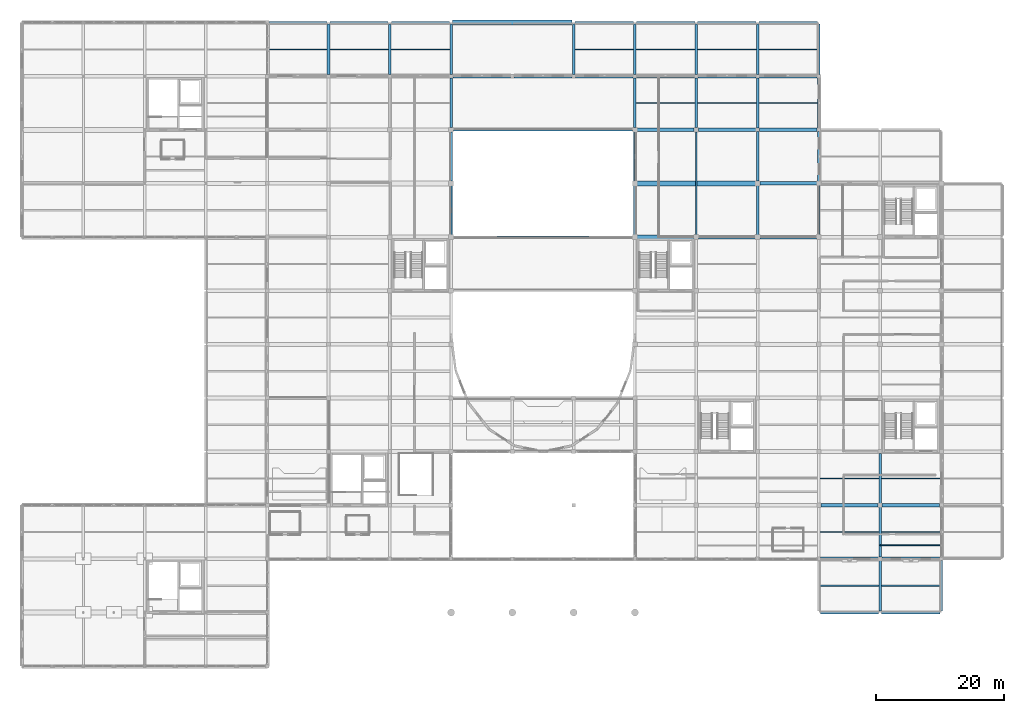
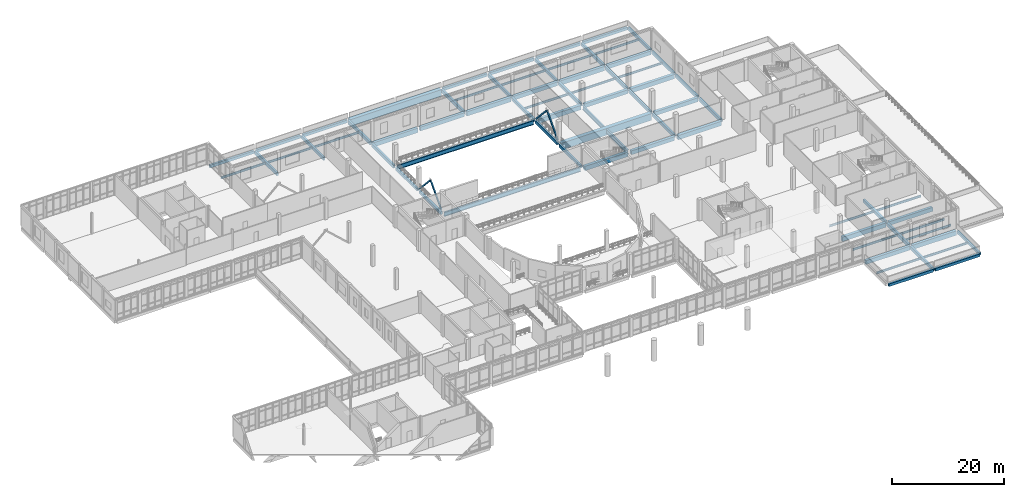
# One storey, part 54 of 88: 73 beams, 4 members.
"""IFC4 building model written with IfcOpenShell, lengths in metres."""

from ifc_helpers import new_model, si_unit, direction, frame, origin, origin_2d, place, context, subcontext, project, spatial, rectangle, hollow_rectangle, i_section, extrude, material, material_profile, profile_set, type_object, element, save


model = new_model("IFC4")

# Units and contexts
model_context = context("Model", 3, precision=1e-05, world=origin(), true_north=direction((0.0, 1.0)))
body_context = subcontext(model_context, "Body", "Model", "MODEL_VIEW")
ifc_project = project(units=[si_unit("LENGTHUNIT", "METRE"), si_unit("AREAUNIT", "SQUARE_METRE"), si_unit("VOLUMEUNIT", "CUBIC_METRE"), si_unit("PLANEANGLEUNIT", "RADIAN"), si_unit("MASSUNIT", "GRAM", prefix="KILO")], contexts=[model_context])

# Site, building, storey
site_placement = place(None, origin())
site = spatial("IfcSite", under=ifc_project, at=site_placement, CompositionType="ELEMENT")
building_placement = place(site_placement, origin())
building = spatial("IfcBuilding", under=site, at=building_placement, Name="Lornevale Opera House", CompositionType="ELEMENT")
storey_placement = place(building_placement, frame((0.0, 0.0, 10.199951171875)))
storey = spatial("IfcBuildingStorey", under=building, at=storey_placement, Name="L03", CompositionType="ELEMENT", Elevation=10.199951171875)

# Beams
ifc_material_1 = material(Name="Concrete 35 MPa (CSA A23.1 N)", Category="concrete")
ifc_material_profile_1 = material_profile(ifc_material_1, rectangle(XDim=0.39990234375, YDim=0.699951171875, at=origin_2d()), Name="RC400x700")
ifc_profile_set_1 = profile_set([ifc_material_profile_1], Name="Concrete 35 MPa (CSA A23.1 N)")
beam_type_1 = type_object("IfcBeamType", Name="Concrete Floor Beam 400x700", PredefinedType="USERDEFINED", material=ifc_profile_set_1)
beam_1_placement = place(storey_placement, frame((48.0, 92.675048828125, -0.639892578125), z_axis=(0.0, 1.0, 0.0), x_axis=(-1.0, 0.0, 0.0)))
element("IfcBeam", 1, at=beam_1_placement, inside=storey, type_object=beam_type_1, Name="Concrete Floor Beam 400x700 2278", ObjectType="GIRDER", PredefinedType="USERDEFINED", context=body_context, shape_type="SweptSolid", body=[
    extrude(rectangle(XDim=0.39990234375, YDim=0.699951171875, at=origin_2d()), origin(), (0.0, 0.0, 1.0), 7.89990234375),
])
beam_2_placement = place(storey_placement, frame((57.60009765625, 92.675048828125, -0.639892578125), z_axis=(0.0, 1.0, 0.0), x_axis=(-1.0, 0.0, 0.0)))
element("IfcBeam", 2, at=beam_2_placement, inside=storey, type_object=beam_type_1, Name="Concrete Floor Beam 400x700 2287", ObjectType="GIRDER", PredefinedType="USERDEFINED", context=body_context, shape_type="SweptSolid", body=[
    extrude(rectangle(XDim=0.39990234375, YDim=0.699951171875, at=origin_2d()), origin(), (0.0, 0.0, 1.0), 7.875),
])
beam_3_placement = place(storey_placement, frame((67.199951171875, 84.35009765625, -0.639892578125), z_axis=(0.0, 1.0, 0.0), x_axis=(-1.0, 0.0, 0.0)))
element("IfcBeam", 3, at=beam_3_placement, inside=storey, type_object=beam_type_1, Name="Concrete Floor Beam 400x700 2296", ObjectType="GIRDER", PredefinedType="USERDEFINED", context=body_context, shape_type="SweptSolid", body=[
    extrude(rectangle(XDim=0.39990234375, YDim=0.699951171875, at=origin_2d()), origin(), (0.0, 0.0, 1.0), 7.77490234375),
])
for number, where, z_axis, x_axis, name in (
    (4, (67.199951171875, 92.675048828125, -0.639892578125), (0.0, 1.0, 0.0), (-1.0, 0.0, 0.0), "Concrete Floor Beam 400x700 2297"),
    (5, (86.39990234375, 92.675048828125, -0.639892578125), (0.0, 1.0, 0.0), (-1.0, 0.0, 0.0), "Concrete Floor Beam 400x700 2300"),
):
    element("IfcBeam", number, at=place(storey_placement, frame(where, z_axis=z_axis, x_axis=x_axis)), inside=storey, type_object=beam_type_1, Name=name, ObjectType="GIRDER", PredefinedType="USERDEFINED", context=body_context, shape_type="SweptSolid", body=[
        extrude(rectangle(XDim=0.39990234375, YDim=0.699951171875, at=origin_2d()), origin(), (0.0, 0.0, 1.0), 7.89990234375),
    ])
beam_4_placement = place(storey_placement, frame((96.0, 84.35009765625, -0.639892578125), z_axis=(0.0, 1.0, 0.0), x_axis=(-1.0, 0.0, 0.0)))
element("IfcBeam", 6, at=beam_4_placement, inside=storey, type_object=beam_type_1, Name="Concrete Floor Beam 400x700 2309", ObjectType="GIRDER", PredefinedType="USERDEFINED", context=body_context, shape_type="SweptSolid", body=[
    extrude(rectangle(XDim=0.39990234375, YDim=0.699951171875, at=origin_2d()), origin(), (0.0, 0.0, 1.0), 7.77490234375),
])
beam_5_placement = place(storey_placement, frame((96.0, 92.675048828125, -0.639892578125), z_axis=(0.0, 1.0, 0.0), x_axis=(-1.0, 0.0, 0.0)))
element("IfcBeam", 7, at=beam_5_placement, inside=storey, type_object=beam_type_1, Name="Concrete Floor Beam 400x700 2310", ObjectType="GIRDER", PredefinedType="USERDEFINED", context=body_context, shape_type="SweptSolid", body=[
    extrude(rectangle(XDim=0.39990234375, YDim=0.699951171875, at=origin_2d()), origin(), (0.0, 0.0, 1.0), 7.875),
])
beam_6_placement = place(storey_placement, frame((105.60009765625, 84.35009765625, -0.639892578125), z_axis=(0.0, 1.0, 0.0), x_axis=(-1.0, 0.0, 0.0)))
element("IfcBeam", 8, at=beam_6_placement, inside=storey, type_object=beam_type_1, Name="Concrete Floor Beam 400x700 2318", ObjectType="GIRDER", PredefinedType="USERDEFINED", context=body_context, shape_type="SweptSolid", body=[
    extrude(rectangle(XDim=0.39990234375, YDim=0.699951171875, at=origin_2d()), origin(), (0.0, 0.0, 1.0), 7.77490234375),
])
beam_7_placement = place(storey_placement, frame((105.60009765625, 92.675048828125, -0.639892578125), z_axis=(0.0, 1.0, 0.0), x_axis=(-1.0, 0.0, 0.0)))
element("IfcBeam", 9, at=beam_7_placement, inside=storey, type_object=beam_type_1, Name="Concrete Floor Beam 400x700 2319", ObjectType="GIRDER", PredefinedType="USERDEFINED", context=body_context, shape_type="SweptSolid", body=[
    extrude(rectangle(XDim=0.39990234375, YDim=0.699951171875, at=origin_2d()), origin(), (0.0, 0.0, 1.0), 7.89990234375),
])
beam_8_placement = place(storey_placement, frame((115.199951171875, 67.550048828125, -0.6298828125), z_axis=(0.0, 1.0, 0.0), x_axis=(-1.0, 0.0, 0.0)))
element("IfcBeam", 10, at=beam_8_placement, inside=storey, type_object=beam_type_1, Name="Concrete Floor Beam 400x700 2326", ObjectType="GIRDER", PredefinedType="USERDEFINED", context=body_context, shape_type="SweptSolid", body=[
    extrude(rectangle(XDim=0.39990234375, YDim=0.699951171875, at=origin_2d()), origin(), (0.0, 0.0, 1.0), 7.699951171875),
])
beam_9_placement = place(storey_placement, frame((115.199951171875, 75.949951171875, -0.6298828125), z_axis=(0.0, 1.0, 0.0), x_axis=(-1.0, 0.0, 0.0)))
element("IfcBeam", 11, at=beam_9_placement, inside=storey, type_object=beam_type_1, Name="Concrete Floor Beam 400x700 2327", ObjectType="GIRDER", PredefinedType="USERDEFINED", context=body_context, shape_type="SweptSolid", body=[
    extrude(rectangle(XDim=0.39990234375, YDim=0.699951171875, at=origin_2d()), origin(), (0.0, 0.0, 1.0), 7.775146484375),
])
beam_10_placement = place(storey_placement, frame((115.199951171875, 84.27490234375, -0.639892578125), z_axis=(0.0, 1.0, 0.0), x_axis=(-1.0, 0.0, 0.0)))
element("IfcBeam", 12, at=beam_10_placement, inside=storey, type_object=beam_type_1, Name="Concrete Floor Beam 400x700 2328", ObjectType="GIRDER", PredefinedType="USERDEFINED", context=body_context, shape_type="SweptSolid", body=[
    extrude(rectangle(XDim=0.39990234375, YDim=0.699951171875, at=origin_2d()), origin(), (0.0, 0.0, 1.0), 7.85009765625),
])
beam_11_placement = place(storey_placement, frame((115.199951171875, 92.675048828125, -0.639892578125), z_axis=(0.0, 1.0, 0.0), x_axis=(-1.0, 0.0, 0.0)))
element("IfcBeam", 13, at=beam_11_placement, inside=storey, type_object=beam_type_1, Name="Concrete Floor Beam 400x700 2329", ObjectType="GIRDER", PredefinedType="USERDEFINED", context=body_context, shape_type="SweptSolid", body=[
    extrude(rectangle(XDim=0.39990234375, YDim=0.699951171875, at=origin_2d()), origin(), (0.0, 0.0, 1.0), 7.875),
])
beam_12_placement = place(storey_placement, frame((124.800048828125, 67.550048828125, -0.639892578125), z_axis=(0.0, 1.0, 0.0), x_axis=(-1.0, 0.0, 0.0)))
element("IfcBeam", 14, at=beam_12_placement, inside=storey, type_object=beam_type_1, Name="Concrete Floor Beam 400x700 2337", ObjectType="GIRDER", PredefinedType="USERDEFINED", context=body_context, shape_type="SweptSolid", body=[
    extrude(rectangle(XDim=0.39990234375, YDim=0.699951171875, at=origin_2d()), origin(), (0.0, 0.0, 1.0), 7.724853515625),
])
beam_13_placement = place(storey_placement, frame((124.800048828125, 75.925048828125, -0.639892578125), z_axis=(0.0, 1.0, 0.0), x_axis=(-1.0, 0.0, 0.0)))
element("IfcBeam", 15, at=beam_13_placement, inside=storey, type_object=beam_type_1, Name="Concrete Floor Beam 400x700 2338", ObjectType="GIRDER", PredefinedType="USERDEFINED", context=body_context, shape_type="SweptSolid", body=[
    extrude(rectangle(XDim=0.39990234375, YDim=0.699951171875, at=origin_2d()), origin(), (0.0, 0.0, 1.0), 7.800048828125),
])
beam_14_placement = place(storey_placement, frame((134.39990234375, 8.625, -0.639892578125), z_axis=(0.0, 1.0, 0.0), x_axis=(-1.0, 0.0, 0.0)))
element("IfcBeam", 16, at=beam_14_placement, inside=storey, type_object=beam_type_1, Name="Concrete Floor Beam 400x700 2341", ObjectType="GIRDER", PredefinedType="USERDEFINED", context=body_context, shape_type="SweptSolid", body=[
    extrude(rectangle(XDim=0.39990234375, YDim=0.699951171875, at=origin_2d()), origin(), (0.0, 0.0, 1.0), 7.89990234375),
])
beam_15_placement = place(storey_placement, frame((134.39990234375, 17.074951171875, -0.639892578125), z_axis=(0.0, 1.0, 0.0), x_axis=(-1.0, 0.0, 0.0)))
element("IfcBeam", 17, at=beam_15_placement, inside=storey, type_object=beam_type_1, Name="Concrete Floor Beam 400x700 2342", ObjectType="GIRDER", PredefinedType="USERDEFINED", context=body_context, shape_type="SweptSolid", body=[
    extrude(rectangle(XDim=0.39990234375, YDim=0.699951171875, at=origin_2d()), origin(), (0.0, 0.0, 1.0), 7.824951171875),
])
beam_16_placement = place(storey_placement, frame((134.39990234375, 25.5, -0.6298828125), z_axis=(0.0, 1.0, 0.0), x_axis=(-1.0, 0.0, 0.0)))
element("IfcBeam", 18, at=beam_16_placement, inside=storey, type_object=beam_type_1, Name="Concrete Floor Beam 400x700 2343", ObjectType="GIRDER", PredefinedType="USERDEFINED", context=body_context, shape_type="SweptSolid", body=[
    extrude(rectangle(XDim=0.39990234375, YDim=0.699951171875, at=origin_2d()), origin(), (0.0, 0.0, 1.0), 7.800048828125),
])
ifc_material_profile_2 = material_profile(ifc_material_1, rectangle(XDim=0.550048828125, YDim=0.85009765625, at=origin_2d()), Name="RC550x850")
ifc_profile_set_2 = profile_set([ifc_material_profile_2], Name="Concrete 35 MPa (CSA A23.1 N)")
beam_type_2 = type_object("IfcBeamType", Name="Concrete Primary Girder 550x850", PredefinedType="USERDEFINED", material=ifc_profile_set_2)
beam_17_placement = place(storey_placement, frame((125.074951171875, 16.800048828125, -0.71484375), z_axis=(1.0, 0.0, 0.0), x_axis=(0.0, 1.0, 0.0)))
element("IfcBeam", 19, at=beam_17_placement, inside=storey, type_object=beam_type_2, Name="Concrete Primary Girder 550x850 2101", ObjectType="GIRDER", PredefinedType="USERDEFINED", context=body_context, shape_type="SweptSolid", body=[
    extrude(rectangle(XDim=0.550048828125, YDim=0.85009765625, at=origin_2d()), origin(), (0.0, 0.0, 1.0), 9.050048828125),
])
beam_18_placement = place(storey_placement, frame((134.699951171875, 25.199951171875, -0.71484375), z_axis=(1.0, 0.0, 0.0), x_axis=(0.0, 1.0, 0.0)))
element("IfcBeam", 20, at=beam_18_placement, inside=storey, type_object=beam_type_2, Name="Concrete Primary Girder 550x850 2115", ObjectType="GIRDER", PredefinedType="USERDEFINED", context=body_context, shape_type="SweptSolid", body=[
    extrude(rectangle(XDim=0.550048828125, YDim=0.85009765625, at=origin_2d()), origin(), (0.0, 0.0, 1.0), 9.0),
])
beam_19_placement = place(storey_placement, frame((105.949951171875, 67.199951171875, -0.704833984375), z_axis=(1.0, 0.0, 0.0), x_axis=(0.0, 1.0, 0.0)))
element("IfcBeam", 21, at=beam_19_placement, inside=storey, type_object=beam_type_2, Name="Concrete Primary Girder 550x850 2173", ObjectType="GIRDER", PredefinedType="USERDEFINED", context=body_context, shape_type="SweptSolid", body=[
    extrude(rectangle(XDim=0.550048828125, YDim=0.85009765625, at=origin_2d()), origin(), (0.0, 0.0, 1.0), 8.900146484375),
])
beam_20_placement = place(storey_placement, frame((115.550048828125, 75.60009765625, -0.71484375), z_axis=(1.0, 0.0, 0.0), x_axis=(0.0, 1.0, 0.0)))
element("IfcBeam", 22, at=beam_20_placement, inside=storey, type_object=beam_type_2, Name="Concrete Primary Girder 550x850 2185", ObjectType="GIRDER", PredefinedType="USERDEFINED", context=body_context, shape_type="SweptSolid", body=[
    extrude(rectangle(XDim=0.550048828125, YDim=0.85009765625, at=origin_2d()), origin(), (0.0, 0.0, 1.0), 8.925048828125),
])
beam_21_placement = place(storey_placement, frame((105.949951171875, 84.0, -0.704833984375), z_axis=(1.0, 0.0, 0.0), x_axis=(0.0, 1.0, 0.0)))
element("IfcBeam", 23, at=beam_21_placement, inside=storey, type_object=beam_type_2, Name="Concrete Primary Girder 550x850 2197", ObjectType="GIRDER", PredefinedType="USERDEFINED", context=body_context, shape_type="SweptSolid", body=[
    extrude(rectangle(XDim=0.550048828125, YDim=0.85009765625, at=origin_2d()), origin(), (0.0, 0.0, 1.0), 8.97509765625),
])
for number, where, z_axis, x_axis, name in (
    (24, (77.074951171875, 92.39990234375, -0.71484375), (1.0, 0.0, 0.0), (0.0, 1.0, 0.0), "Concrete Primary Girder 550x850 2209"),
    (25, (96.27490234375, 92.39990234375, -0.71484375), (1.0, 0.0, 0.0), (0.0, 1.0, 0.0), "Concrete Primary Girder 550x850 2211"),
):
    element("IfcBeam", number, at=place(storey_placement, frame(where, z_axis=z_axis, x_axis=x_axis)), inside=storey, type_object=beam_type_2, Name=name, ObjectType="GIRDER", PredefinedType="USERDEFINED", context=body_context, shape_type="SweptSolid", body=[
        extrude(rectangle(XDim=0.550048828125, YDim=0.85009765625, at=origin_2d()), origin(), (0.0, 0.0, 1.0), 9.050048828125),
    ])
beam_22_placement = place(storey_placement, frame((115.47509765625, 92.39990234375, -0.71484375), z_axis=(1.0, 0.0, 0.0), x_axis=(0.0, 1.0, 0.0)))
element("IfcBeam", 26, at=beam_22_placement, inside=storey, type_object=beam_type_2, Name="Concrete Primary Girder 550x850 2213", ObjectType="GIRDER", PredefinedType="USERDEFINED", context=body_context, shape_type="SweptSolid", body=[
    extrude(rectangle(XDim=0.550048828125, YDim=0.85009765625, at=origin_2d()), origin(), (0.0, 0.0, 1.0), 9.0498046875),
])
ifc_material_profile_3 = material_profile(ifc_material_1, rectangle(XDim=0.60009765625, YDim=0.949951171875, at=origin_2d()), Name="RC600x950")
ifc_profile_set_3 = profile_set([ifc_material_profile_3], Name="Concrete 35 MPa (CSA A23.1 N)")
beam_type_3 = type_object("IfcBeamType", Name="Concrete Primary Girder 600x950", PredefinedType="USERDEFINED", material=ifc_profile_set_3)
beam_23_placement = place(storey_placement, frame((134.675048828125, 16.800048828125, -0.764892578125), z_axis=(1.0, 0.0, 0.0), x_axis=(0.0, 1.0, 0.0)))
element("IfcBeam", 27, at=beam_23_placement, inside=storey, type_object=beam_type_3, Name="Concrete Primary Girder 600x950 2102", ObjectType="GIRDER", PredefinedType="USERDEFINED", context=body_context, shape_type="SweptSolid", body=[
    extrude(rectangle(XDim=0.60009765625, YDim=0.949951171875, at=origin_2d()), origin(), (0.0, 0.0, 1.0), 9.050048828125),
])
beam_24_placement = place(storey_placement, frame((125.10009765625, 25.199951171875, -0.7548828125), z_axis=(1.0, 0.0, 0.0), x_axis=(0.0, 1.0, 0.0)))
element("IfcBeam", 28, at=beam_24_placement, inside=storey, type_object=beam_type_3, Name="Concrete Primary Girder 600x950 2114", ObjectType="GIRDER", PredefinedType="USERDEFINED", context=body_context, shape_type="SweptSolid", body=[
    extrude(rectangle(XDim=0.60009765625, YDim=0.949951171875, at=origin_2d()), origin(), (0.0, 0.0, 1.0), 9.0),
])
for number, where, z_axis, x_axis, name in (
    (29, (96.35009765625, 67.199951171875, -0.7548828125), (1.0, 0.0, 0.0), (0.0, 1.0, 0.0), "Concrete Primary Girder 600x950 2172"),
    (30, (115.550048828125, 67.199951171875, -0.7548828125), (1.0, 0.0, 0.0), (0.0, 1.0, 0.0), "Concrete Primary Girder 600x950 2174"),
    (31, (96.35009765625, 84.0, -0.7548828125), (1.0, 0.0, 0.0), (0.0, 1.0, 0.0), "Concrete Primary Girder 600x950 2196"),
):
    element("IfcBeam", number, at=place(storey_placement, frame(where, z_axis=z_axis, x_axis=x_axis)), inside=storey, type_object=beam_type_3, Name=name, ObjectType="GIRDER", PredefinedType="USERDEFINED", context=body_context, shape_type="SweptSolid", body=[
        extrude(rectangle(XDim=0.60009765625, YDim=0.949951171875, at=origin_2d()), origin(), (0.0, 0.0, 1.0), 8.89990234375),
    ])
for number, where, z_axis, x_axis, name in (
    (32, (115.47509765625, 84.0, -0.764892578125), (1.0, 0.0, 0.0), (0.0, 1.0, 0.0), "Concrete Primary Girder 600x950 2198"),
    (33, (67.47509765625, 92.39990234375, -0.764892578125), (1.0, 0.0, 0.0), (0.0, 1.0, 0.0), "Concrete Primary Girder 600x950 2208"),
):
    element("IfcBeam", number, at=place(storey_placement, frame(where, z_axis=z_axis, x_axis=x_axis)), inside=storey, type_object=beam_type_3, Name=name, ObjectType="GIRDER", PredefinedType="USERDEFINED", context=body_context, shape_type="SweptSolid", body=[
        extrude(rectangle(XDim=0.60009765625, YDim=0.949951171875, at=origin_2d()), origin(), (0.0, 0.0, 1.0), 9.0498046875),
    ])
for number, where, z_axis, x_axis, name in (
    (34, (86.675048828125, 92.39990234375, -0.764892578125), (1.0, 0.0, 0.0), (0.0, 1.0, 0.0), "Concrete Primary Girder 600x950 2210"),
    (35, (105.875, 92.39990234375, -0.764892578125), (1.0, 0.0, 0.0), (0.0, 1.0, 0.0), "Concrete Primary Girder 600x950 2212"),
):
    element("IfcBeam", number, at=place(storey_placement, frame(where, z_axis=z_axis, x_axis=x_axis)), inside=storey, type_object=beam_type_3, Name=name, ObjectType="GIRDER", PredefinedType="USERDEFINED", context=body_context, shape_type="SweptSolid", body=[
        extrude(rectangle(XDim=0.60009765625, YDim=0.949951171875, at=origin_2d()), origin(), (0.0, 0.0, 1.0), 9.050048828125),
    ])
ifc_material_profile_4 = material_profile(ifc_material_1, rectangle(XDim=0.39990234375, YDim=0.60009765625, at=origin_2d()), Name="RC400x600")
ifc_profile_set_4 = profile_set([ifc_material_profile_4], Name="Concrete 35 MPa (CSA A23.1 N)")
beam_type_4 = type_object("IfcBeamType", Name="Concrete Spandrel Beam 400x600", PredefinedType="SPANDREL", material=ifc_profile_set_4)
for number, where, z_axis, x_axis, name in (
    (36, (125.050048828125, 8.39990234375, -0.58984375), (1.0, 0.0, 0.0), (0.0, 1.0, 0.0), "Concrete Spandrel Beam 400x600 2089"),
    (37, (134.625, 8.39990234375, -0.58984375), (1.0, 0.0, 0.0), (0.0, 1.0, 0.0), "Concrete Spandrel Beam 400x600 2090"),
):
    element("IfcBeam", number, at=place(storey_placement, frame(where, z_axis=z_axis, x_axis=x_axis)), inside=storey, type_object=beam_type_4, Name=name, PredefinedType="SPANDREL", context=body_context, shape_type="SweptSolid", body=[
        extrude(rectangle(XDim=0.39990234375, YDim=0.60009765625, at=origin_2d()), origin(), (0.0, 0.0, 1.0), 9.125),
    ])
beam_25_placement = place(storey_placement, frame((38.675048828125, 100.800048828125, -0.58984375), z_axis=(1.0, 0.0, 0.0), x_axis=(0.0, 1.0, 0.0)))
element("IfcBeam", 38, at=beam_25_placement, inside=storey, type_object=beam_type_4, Name="Concrete Spandrel Beam 400x600 2218", PredefinedType="SPANDREL", context=body_context, shape_type="SweptSolid", body=[
    extrude(rectangle(XDim=0.39990234375, YDim=0.60009765625, at=origin_2d()), origin(), (0.0, 0.0, 1.0), 9.099853515625),
])
for number, where, z_axis, x_axis, name in (
    (39, (48.22509765625, 100.800048828125, -0.58984375), (1.0, 0.0, 0.0), (0.0, 1.0, 0.0), "Concrete Spandrel Beam 400x600 2219"),
    (40, (57.85009765625, 100.800048828125, -0.58984375), (1.0, 0.0, 0.0), (0.0, 1.0, 0.0), "Concrete Spandrel Beam 400x600 2220"),
    (41, (86.625, 100.800048828125, -0.58984375), (1.0, 0.0, 0.0), (0.0, 1.0, 0.0), "Concrete Spandrel Beam 400x600 2222"),
    (42, (96.25, 100.800048828125, -0.58984375), (1.0, 0.0, 0.0), (0.0, 1.0, 0.0), "Concrete Spandrel Beam 400x600 2223"),
    (43, (105.824951171875, 100.800048828125, -0.58984375), (1.0, 0.0, 0.0), (0.0, 1.0, 0.0), "Concrete Spandrel Beam 400x600 2224"),
    (44, (115.449951171875, 100.800048828125, -0.58984375), (1.0, 0.0, 0.0), (0.0, 1.0, 0.0), "Concrete Spandrel Beam 400x600 2225"),
):
    element("IfcBeam", number, at=place(storey_placement, frame(where, z_axis=z_axis, x_axis=x_axis)), inside=storey, type_object=beam_type_4, Name=name, PredefinedType="SPANDREL", context=body_context, shape_type="SweptSolid", body=[
        extrude(rectangle(XDim=0.39990234375, YDim=0.60009765625, at=origin_2d()), origin(), (0.0, 0.0, 1.0), 9.125),
    ])
for number, where, z_axis, x_axis, name in (
    (45, (67.199951171875, 67.550048828125, -0.579833984375), (0.0, 1.0, 0.0), (-1.0, 0.0, 0.0), "Concrete Spandrel Beam 400x600 2294"),
    (46, (67.199951171875, 75.949951171875, -0.579833984375), (0.0, 1.0, 0.0), (-1.0, 0.0, 0.0), "Concrete Spandrel Beam 400x600 2295"),
    (47, (96.0, 67.550048828125, -0.579833984375), (0.0, 1.0, 0.0), (-1.0, 0.0, 0.0), "Concrete Spandrel Beam 400x600 2307"),
    (48, (96.0, 75.949951171875, -0.579833984375), (0.0, 1.0, 0.0), (-1.0, 0.0, 0.0), "Concrete Spandrel Beam 400x600 2308"),
):
    element("IfcBeam", number, at=place(storey_placement, frame(where, z_axis=z_axis, x_axis=x_axis)), inside=storey, type_object=beam_type_4, Name=name, PredefinedType="SPANDREL", context=body_context, shape_type="SweptSolid", body=[
        extrude(rectangle(XDim=0.39990234375, YDim=0.60009765625, at=origin_2d()), origin(), (0.0, 0.0, 1.0), 7.699951171875),
    ])
beam_26_placement = place(storey_placement, frame((124.800048828125, 84.27490234375, -0.58984375), z_axis=(0.0, 1.0, 0.0), x_axis=(-1.0, 0.0, 0.0)))
element("IfcBeam", 49, at=beam_26_placement, inside=storey, type_object=beam_type_4, Name="Concrete Spandrel Beam 400x600 2339", PredefinedType="SPANDREL", context=body_context, shape_type="SweptSolid", body=[
    extrude(rectangle(XDim=0.39990234375, YDim=0.60009765625, at=origin_2d()), origin(), (0.0, 0.0, 1.0), 7.85009765625),
])
beam_27_placement = place(storey_placement, frame((124.800048828125, 92.675048828125, -0.58984375), z_axis=(0.0, 1.0, 0.0), x_axis=(-1.0, 0.0, 0.0)))
element("IfcBeam", 50, at=beam_27_placement, inside=storey, type_object=beam_type_4, Name="Concrete Spandrel Beam 400x600 2340", PredefinedType="SPANDREL", context=body_context, shape_type="SweptSolid", body=[
    extrude(rectangle(XDim=0.39990234375, YDim=0.60009765625, at=origin_2d()), origin(), (0.0, 0.0, 1.0), 7.89990234375),
])
beam_28_placement = place(storey_placement, frame((144.0, 8.64990234375, -0.58984375), z_axis=(0.0, 1.0, 0.0), x_axis=(-1.0, 0.0, 0.0)))
element("IfcBeam", 51, at=beam_28_placement, inside=storey, type_object=beam_type_4, Name="Concrete Spandrel Beam 400x600 2350", PredefinedType="SPANDREL", context=body_context, shape_type="SweptSolid", body=[
    extrude(rectangle(XDim=0.39990234375, YDim=0.60009765625, at=origin_2d()), origin(), (0.0, 0.0, 1.0), 7.875),
])
ifc_material_2 = material(Name="Concrete 40 MPa (CSA A23.1 C-1)", Category="concrete")
ifc_material_profile_5 = material_profile(ifc_material_2, rectangle(XDim=0.800048828125, YDim=1.449951171875, at=origin_2d()), Name="RC800x1450")
ifc_profile_set_5 = profile_set([ifc_material_profile_5], Name="Concrete 40 MPa (CSA A23.1 C-1)")
beam_type_5 = type_object("IfcBeamType", Name="Concrete Transfer Girder 800x1450", PredefinedType="USERDEFINED", material=ifc_profile_set_5)
beam_29_placement = place(storey_placement, frame((96.35009765625, 75.60009765625, -1.0048828125), z_axis=(1.0, 0.0, 0.0), x_axis=(0.0, 1.0, 0.0)))
element("IfcBeam", 52, at=beam_29_placement, inside=storey, type_object=beam_type_5, Name="Concrete Transfer Girder 800x1450 2184", ObjectType="TRANSFER GIRDER", PredefinedType="USERDEFINED", context=body_context, shape_type="SweptSolid", body=[
    extrude(rectangle(XDim=0.800048828125, YDim=1.449951171875, at=origin_2d()), origin(), (0.0, 0.0, 1.0), 18.5),
])
beam_30_placement = place(storey_placement, frame((67.425048828125, 100.800048828125, -1.014892578125), z_axis=(1.0, 0.0, 0.0), x_axis=(0.0, 1.0, 0.0)))
element("IfcBeam", 53, at=beam_30_placement, inside=storey, type_object=beam_type_5, Name="Concrete Transfer Girder 800x1450 2221", ObjectType="TRANSFER GIRDER", PredefinedType="USERDEFINED", context=body_context, shape_type="SweptSolid", body=[
    extrude(rectangle(XDim=0.800048828125, YDim=1.449951171875, at=origin_2d()), origin(), (0.0, 0.0, 1.0), 18.75),
])
ifc_material_3 = material(Name="Structural Steel CSA G40.21 Grade 350W (350 MPa)", Category="steel")
ifc_material_profile_6 = material_profile(ifc_material_3, i_section(OverallWidth=0.154052734375, OverallDepth=0.458984375, WebThickness=0.009033203125, FlangeThickness=0.015380859375, at=origin_2d()), Name="W460x68")
ifc_profile_set_6 = profile_set([ifc_material_profile_6], Name="Structural Steel CSA G40.21 Grade 350W (350 MPa)")
beam_type_6 = type_object("IfcBeamType", Name="Dressing Wing Beam W460x68", PredefinedType="JOIST", material=ifc_profile_set_6)
beam_31_placement = place(storey_placement, frame((134.449951171875, 18.89990234375, -0.5400390625), z_axis=(1.0, 0.0, 0.0), x_axis=(0.0, 1.0, 0.0)))
element("IfcBeam", 54, at=beam_31_placement, inside=storey, type_object=beam_type_6, Name="Dressing Wing Beam W460x68 3043", PredefinedType="JOIST", context=body_context, shape_type="SweptSolid", body=[
    extrude(i_section(OverallWidth=0.154052734375, OverallDepth=0.458984375, WebThickness=0.009033203125, FlangeThickness=0.015380859375, at=origin_2d()), origin(), (0.0, 0.0, 1.0), 9.5),
])

# Members
ifc_material_profile_7 = material_profile(ifc_material_3, hollow_rectangle(XDim=0.25390625, YDim=0.25390625, WallThickness=0.0126953125, at=origin_2d()), Name="HSS254x254x13")
ifc_profile_set_7 = profile_set([ifc_material_profile_7], Name="Structural Steel CSA G40.21 Grade 350W (350 MPa)")
member_type = type_object("IfcMemberType", Name="Stagehouse Lateral Brace HSS254x254x13", PredefinedType="BRACE", material=ifc_profile_set_7)
member_1_placement = place(storey_placement, frame((67.199951171875, 67.574951171875, 0.10009765625), z_axis=(0.0, 0.676848729001, 0.736122135281), x_axis=(-1.0, 0.0, 0.0)))
element("IfcMember", 55, at=member_1_placement, inside=storey, type_object=member_type, Name="Stagehouse Lateral Brace HSS254x254x13 0108", PredefinedType="BRACE", context=body_context, shape_type="SweptSolid", body=[
    extrude(hollow_rectangle(XDim=0.25390625, YDim=0.25390625, WallThickness=0.0126953125, at=origin_2d()), origin(), (0.0, 0.0, 1.0), 5.651123046875),
])
member_2_placement = place(storey_placement, frame((67.199951171875, 75.22509765625, 0.10009765625), z_axis=(0.0, -0.676872138196, 0.736100610334), x_axis=(1.0, 0.0, 0.0)))
element("IfcMember", 56, at=member_2_placement, inside=storey, type_object=member_type, Name="Stagehouse Lateral Brace HSS254x254x13 0109", PredefinedType="BRACE", context=body_context, shape_type="SweptSolid", body=[
    extrude(hollow_rectangle(XDim=0.25390625, YDim=0.25390625, WallThickness=0.0126953125, at=origin_2d()), origin(), (0.0, 0.0, 1.0), 5.6513671875),
])
for number, where, z_axis, x_axis, name in (
    (57, (96.0, 75.97509765625, 0.10009765625), (0.0, 0.676848729001, 0.736122135281), (-1.0, 0.0, 0.0), "Stagehouse Lateral Brace HSS254x254x13 0120"),
    (58, (96.0, 83.625, 0.10009765625), (0.0, -0.676848729001, 0.736122135281), (1.0, 0.0, 0.0), "Stagehouse Lateral Brace HSS254x254x13 0121"),
):
    element("IfcMember", number, at=place(storey_placement, frame(where, z_axis=z_axis, x_axis=x_axis)), inside=storey, type_object=member_type, Name=name, PredefinedType="BRACE", context=body_context, shape_type="SweptSolid", body=[
        extrude(hollow_rectangle(XDim=0.25390625, YDim=0.25390625, WallThickness=0.0126953125, at=origin_2d()), origin(), (0.0, 0.0, 1.0), 5.651123046875),
    ])

# Beams
ifc_material_profile_8 = material_profile(ifc_material_3, i_section(OverallWidth=0.19189453125, OverallDepth=0.462890625, WebThickness=0.010498046875, FlangeThickness=0.017578125, at=origin_2d()), Name="W460x89")
ifc_profile_set_8 = profile_set([ifc_material_profile_8], Name="Structural Steel CSA G40.21 Grade 350W (350 MPa)")
beam_type_7 = type_object("IfcBeamType", Name="Steel Floor Joist W460x89", PredefinedType="JOIST", material=ifc_profile_set_8)
for number, where, z_axis, x_axis, name in (
    (59, (38.60009765625, 96.60009765625, -0.536376953125), (1.0, 0.0, 0.0), (0.0, 1.0, 0.0), "Steel Floor Joist W460x89 2398"),
    (60, (48.199951171875, 96.60009765625, -0.536376953125), (1.0, 0.0, 0.0), (0.0, 1.0, 0.0), "Steel Floor Joist W460x89 2405"),
    (61, (57.800048828125, 96.60009765625, -0.536376953125), (1.0, 0.0, 0.0), (0.0, 1.0, 0.0), "Steel Floor Joist W460x89 2411"),
    (62, (86.60009765625, 96.60009765625, -0.536376953125), (1.0, 0.0, 0.0), (0.0, 1.0, 0.0), "Steel Floor Joist W460x89 2415"),
    (63, (96.199951171875, 88.199951171875, -0.536376953125), (1.0, 0.0, 0.0), (0.0, 1.0, 0.0), "Steel Floor Joist W460x89 2421"),
    (64, (96.199951171875, 96.60009765625, -0.536376953125), (1.0, 0.0, 0.0), (0.0, 1.0, 0.0), "Steel Floor Joist W460x89 2422"),
    (65, (105.800048828125, 88.199951171875, -0.536376953125), (1.0, 0.0, 0.0), (0.0, 1.0, 0.0), "Steel Floor Joist W460x89 2428"),
    (66, (105.800048828125, 96.60009765625, -0.536376953125), (1.0, 0.0, 0.0), (0.0, 1.0, 0.0), "Steel Floor Joist W460x89 2429"),
):
    element("IfcBeam", number, at=place(storey_placement, frame(where, z_axis=z_axis, x_axis=x_axis)), inside=storey, type_object=beam_type_7, Name=name, PredefinedType="JOIST", context=body_context, shape_type="SweptSolid", body=[
        extrude(i_section(OverallWidth=0.19189453125, OverallDepth=0.462890625, WebThickness=0.010498046875, FlangeThickness=0.017578125, at=origin_2d()), origin(), (0.0, 0.0, 1.0), 9.199951171875),
    ])
for number, where, z_axis, x_axis, name in (
    (67, (115.39990234375, 88.199951171875, -0.536376953125), (1.0, 0.0, 0.0), (0.0, 1.0, 0.0), "Steel Floor Joist W460x89 2434"),
    (68, (115.39990234375, 96.60009765625, -0.536376953125), (1.0, 0.0, 0.0), (0.0, 1.0, 0.0), "Steel Floor Joist W460x89 2435"),
):
    element("IfcBeam", number, at=place(storey_placement, frame(where, z_axis=z_axis, x_axis=x_axis)), inside=storey, type_object=beam_type_7, Name=name, PredefinedType="JOIST", context=body_context, shape_type="SweptSolid", body=[
        extrude(i_section(OverallWidth=0.19189453125, OverallDepth=0.462890625, WebThickness=0.010498046875, FlangeThickness=0.017578125, at=origin_2d()), origin(), (0.0, 0.0, 1.0), 9.2001953125),
    ])
for number, where, z_axis, x_axis, name in (
    (69, (125.0, 12.60009765625, -0.536376953125), (1.0, 0.0, 0.0), (0.0, 1.0, 0.0), "Steel Floor Joist W460x89 2436"),
    (70, (125.0, 21.0, -0.536376953125), (1.0, 0.0, 0.0), (0.0, 1.0, 0.0), "Steel Floor Joist W460x89 2437"),
    (71, (125.0, 29.39990234375, -0.5263671875), (1.0, 0.0, 0.0), (0.0, 1.0, 0.0), "Steel Floor Joist W460x89 2438"),
    (72, (134.60009765625, 12.60009765625, -0.536376953125), (1.0, 0.0, 0.0), (0.0, 1.0, 0.0), "Steel Floor Joist W460x89 2445"),
    (73, (134.60009765625, 21.0, -0.536376953125), (1.0, 0.0, 0.0), (0.0, 1.0, 0.0), "Steel Floor Joist W460x89 2446"),
    (74, (134.60009765625, 29.39990234375, -0.536376953125), (1.0, 0.0, 0.0), (0.0, 1.0, 0.0), "Steel Floor Joist W460x89 2447"),
):
    element("IfcBeam", number, at=place(storey_placement, frame(where, z_axis=z_axis, x_axis=x_axis)), inside=storey, type_object=beam_type_7, Name=name, PredefinedType="JOIST", context=body_context, shape_type="SweptSolid", body=[
        extrude(i_section(OverallWidth=0.19189453125, OverallDepth=0.462890625, WebThickness=0.010498046875, FlangeThickness=0.017578125, at=origin_2d()), origin(), (0.0, 0.0, 1.0), 9.199951171875),
    ])
ifc_material_profile_9 = material_profile(ifc_material_3, i_section(OverallWidth=0.305908203125, OverallDepth=0.9189453125, WebThickness=0.017333984375, FlangeThickness=0.02783203125, at=origin_2d()), Name="W920x253")
ifc_profile_set_9 = profile_set([ifc_material_profile_9], Name="Structural Steel CSA G40.21 Grade 350W (350 MPa)")
beam_type_8 = type_object("IfcBeamType", Name="Steel Stagehouse Girder W920x253", PredefinedType="USERDEFINED", material=ifc_profile_set_9)
for number, where, z_axis, x_axis, name in (
    (75, (67.550048828125, 67.199951171875, -0.75439453125), (1.0, 0.0, 0.0), (0.0, 1.0, 0.0), "Steel Stagehouse Girder W920x253 2171"),
    (76, (67.550048828125, 84.0, -0.75439453125), (1.0, 0.0, 0.0), (0.0, 1.0, 0.0), "Steel Stagehouse Girder W920x253 2195"),
):
    element("IfcBeam", number, at=place(storey_placement, frame(where, z_axis=z_axis, x_axis=x_axis)), inside=storey, type_object=beam_type_8, Name=name, ObjectType="GIRDER", PredefinedType="USERDEFINED", context=body_context, shape_type="SweptSolid", body=[
        extrude(i_section(OverallWidth=0.305908203125, OverallDepth=0.9189453125, WebThickness=0.017333984375, FlangeThickness=0.02783203125, at=origin_2d()), origin(), (0.0, 0.0, 1.0), 28.099853515625),
    ])
beam_32_placement = place(storey_placement, frame((105.60009765625, 67.550048828125, -0.75439453125), z_axis=(0.0, 1.0, 0.0), x_axis=(-1.0, 0.0, 0.0)))
element("IfcBeam", 77, at=beam_32_placement, inside=storey, type_object=beam_type_8, Name="Steel Stagehouse Girder W920x253 2317", ObjectType="GIRDER", PredefinedType="USERDEFINED", context=body_context, shape_type="SweptSolid", body=[
    extrude(i_section(OverallWidth=0.305908203125, OverallDepth=0.9189453125, WebThickness=0.017333984375, FlangeThickness=0.02783203125, at=origin_2d()), origin(), (0.0, 0.0, 1.0), 16.099853515625),
])

save(model, "model.ifc")
